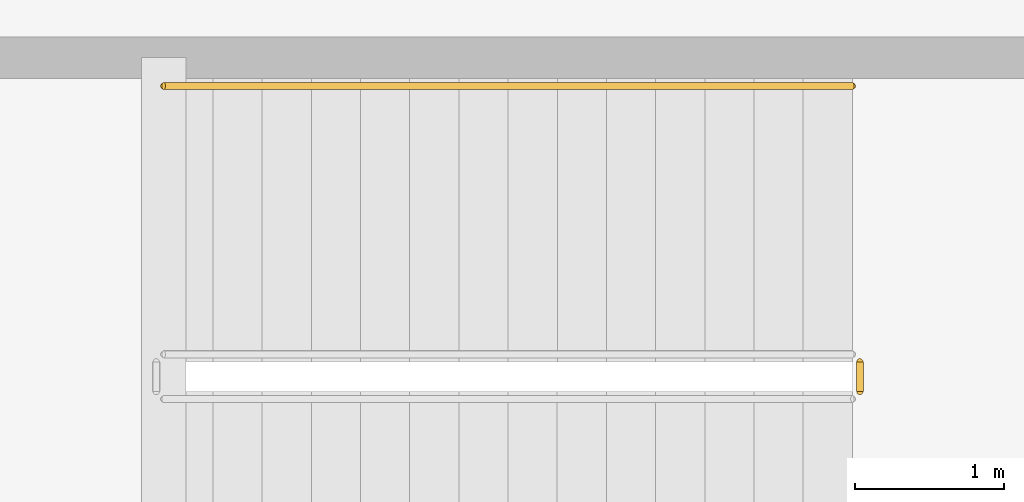
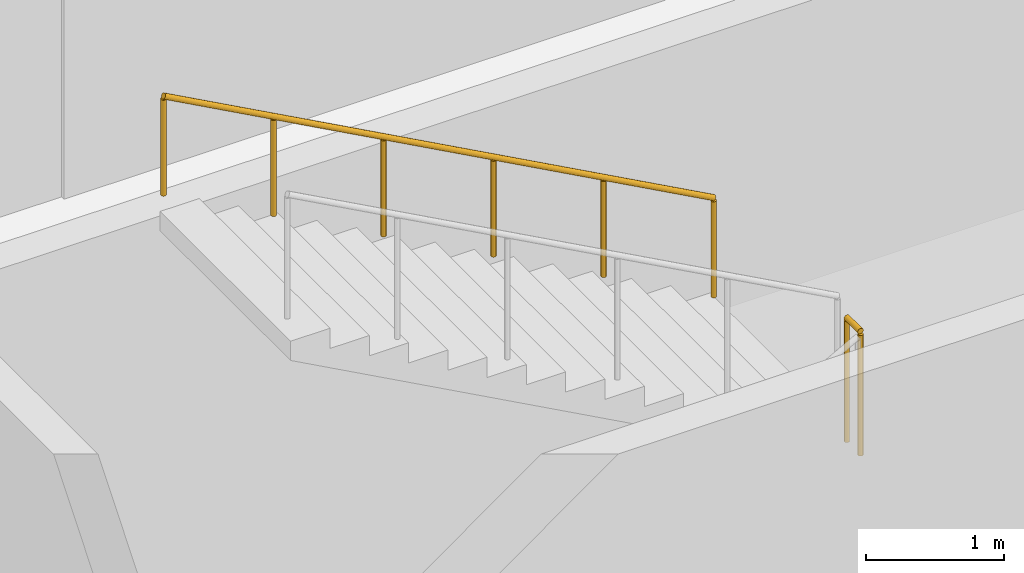
# One storey, part 82 of 84: 2 railings.
"""IFC4 building model written with IfcOpenShell, lengths in metres."""

from ifc_helpers import new_model, si_unit, direction, frame, origin, origin_2d, place, context, subcontext, project, spatial, circle, extrude, material, type_object, element, save


model = new_model("IFC4")

# Units and contexts
model_context = context("Model", 3, precision=1e-05, world=origin(), true_north=direction((0.0, 1.0)))
body_context = subcontext(model_context, "Body", "Model", "MODEL_VIEW")
ifc_project = project(units=[si_unit("LENGTHUNIT", "METRE"), si_unit("AREAUNIT", "SQUARE_METRE"), si_unit("VOLUMEUNIT", "CUBIC_METRE"), si_unit("PLANEANGLEUNIT", "RADIAN"), si_unit("MASSUNIT", "GRAM", prefix="KILO")], contexts=[model_context])

# Site, building, storey
site_placement = place(None, origin())
site = spatial("IfcSite", under=ifc_project, at=site_placement, CompositionType="ELEMENT")
building_placement = place(site_placement, origin())
building = spatial("IfcBuilding", under=site, at=building_placement, Name="Kimbaza Rail Terminus", CompositionType="ELEMENT")
storey_placement = place(building_placement, frame((0.0, 0.0, 5.39990234375)))
storey = spatial("IfcBuildingStorey", under=building, at=storey_placement, Name="L01", CompositionType="ELEMENT", Elevation=5.39990234375)

# Railings
ifc_material_1 = material(Name="Brushed stainless steel handrail", Category="steel")
railing_type_1 = type_object("IfcRailingType", Name="ARC-RL-HND92", PredefinedType="HANDRAIL", material=ifc_material_1)
railing_1_placement = place(storey_placement, frame((208.320068359375, 19.14990234375, 2.880126953125)))
element("IfcRailing", 1, at=railing_1_placement, inside=storey, type_object=railing_type_1, Name="L01 ST-P2 stair handrail 2", PredefinedType="HANDRAIL", context=body_context, shape_type="SweptSolid", body=[
    extrude(circle(Radius=0.02392578125, at=origin_2d()), frame((0.0, 0.0, 0.8759765625), z_axis=(-0.877899118682, 0.0, 0.478845630049), x_axis=(0.0, -1.0, 0.0)), (0.0, 0.0, 1.0), 5.2626953125),
    extrude(circle(Radius=0.02099609375, at=origin_2d()), origin(), (0.0, 0.0, 1.0), 0.851806640625),
    extrude(circle(Radius=0.02099609375, at=origin_2d()), frame((-0.924072265625, 0.0, 0.50390625)), (0.0, 0.0, 1.0), 0.851806640625),
    extrude(circle(Radius=0.02099609375, at=origin_2d()), frame((-1.84814453125, 0.0, 1.008056640625)), (0.0, 0.0, 1.0), 0.851806640625),
    extrude(circle(Radius=0.02099609375, at=origin_2d()), frame((-2.77197265625, 0.0, 1.511962890625)), (0.0, 0.0, 1.0), 0.851806640625),
    extrude(circle(Radius=0.02099609375, at=origin_2d()), frame((-3.696044921875, 0.0, 2.01611328125)), (0.0, 0.0, 1.0), 0.851806640625),
    extrude(circle(Radius=0.02099609375, at=origin_2d()), frame((-4.6201171875, 0.0, 2.52001953125)), (0.0, 0.0, 1.0), 0.851806640625),
])
ifc_material_2 = material(Name="Painted tubular steel stair well guard", Category="steel")
railing_type_2 = type_object("IfcRailingType", Name="ARC-RL-STGRD", PredefinedType="GUARDRAIL", material=ifc_material_2)
railing_2_placement = place(storey_placement, frame((208.3701171875, 17.10009765625, 2.7001953125)))
element("IfcRailing", 2, at=railing_2_placement, inside=storey, type_object=railing_type_2, Name="L01 ST-P2 stair guard 2", PredefinedType="GUARDRAIL", context=body_context, shape_type="SweptSolid", body=[
    extrude(circle(Radius=0.02392578125, at=origin_2d()), frame((0.0, 0.0, 1.09619140625), z_axis=(0.0, 1.0, 0.0), x_axis=(-1.0, 0.0, 0.0)), (0.0, 0.0, 1.0), 0.199951171875),
    extrude(circle(Radius=0.02099609375, at=origin_2d()), origin(), (0.0, 0.0, 1.0), 1.072021484375),
    extrude(circle(Radius=0.02099609375, at=origin_2d()), frame((0.0, 0.199951171875, 0.0)), (0.0, 0.0, 1.0), 1.072021484375),
])

save(model, "model.ifc")
